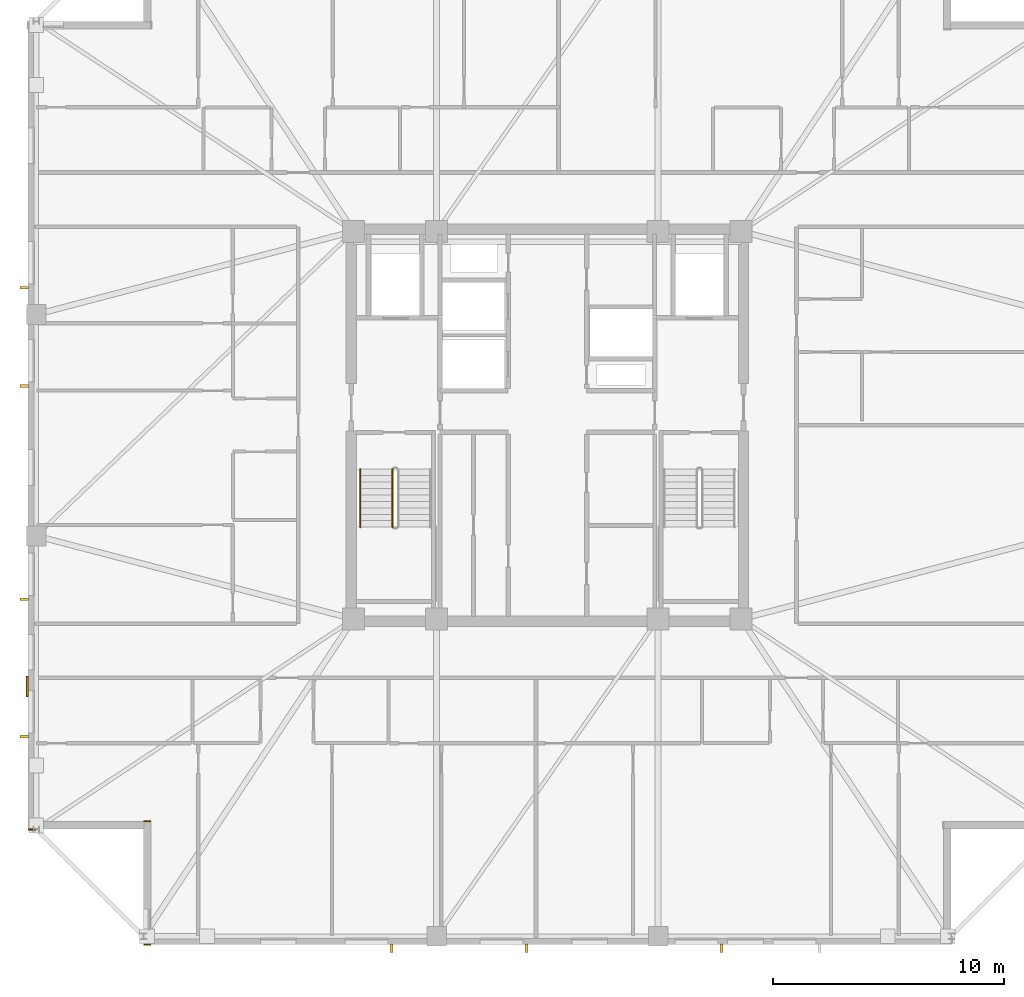
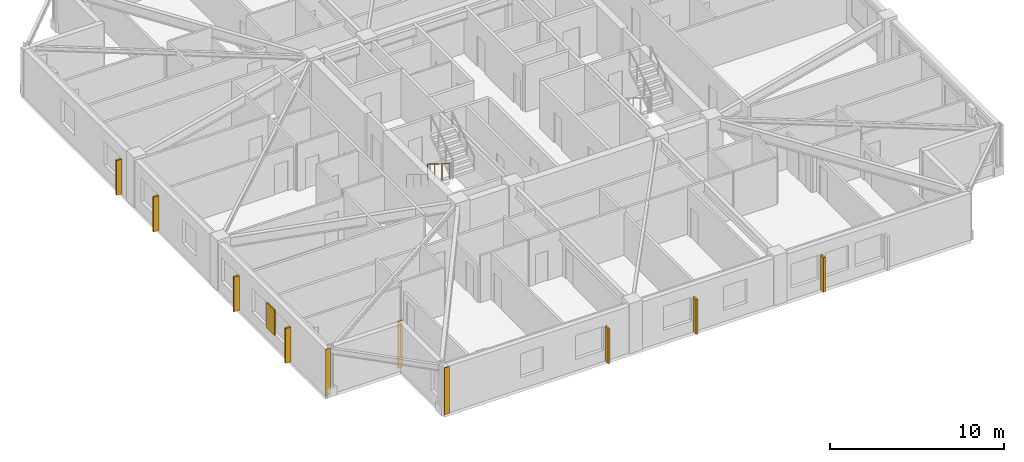
# One storey, part 13 of 17: 8 shading devices, 3 coverings, 2 railings.
"""IFC4 building model written with IfcOpenShell, lengths in metres."""

from ifc_helpers import new_model, si_unit, direction, frame, frame_2d, origin, origin_2d, place, context, subcontext, project, spatial, rectangle, circle, extrude, material, layer, layer_set, type_object, element, save


model = new_model("IFC4")

# Units and contexts
model_context = context("Model", 3, precision=1e-05, world=origin(), true_north=direction((0.0, 1.0)))
body_context = subcontext(model_context, "Body", "Model", "MODEL_VIEW")
ifc_project = project(units=[si_unit("LENGTHUNIT", "METRE"), si_unit("AREAUNIT", "SQUARE_METRE"), si_unit("VOLUMEUNIT", "CUBIC_METRE"), si_unit("PLANEANGLEUNIT", "RADIAN"), si_unit("MASSUNIT", "GRAM", prefix="KILO")], contexts=[model_context])

# Site, building, storey
site_placement = place(None, origin())
site = spatial("IfcSite", under=ifc_project, at=site_placement, CompositionType="ELEMENT")
building_placement = place(site_placement, origin())
building = spatial("IfcBuilding", under=site, at=building_placement, Name="Cairnveth Concourse Tower", CompositionType="ELEMENT")
storey_placement = place(building_placement, frame((0.0, 0.0, 209.5)))
storey = spatial("IfcBuildingStorey", under=building, at=storey_placement, Name="L57", CompositionType="ELEMENT", Elevation=209.5)

# Coverings
ifc_material_1 = material(Name="Dressed Melbourne Bluestone Cladding", Category="masonry")
ifc_layer = layer(ifc_material_1, 0.050048828125)
ifc_layer_set = layer_set([ifc_layer], Name="Dressed Melbourne Bluestone Cladding")
covering_type = type_object("IfcCoveringType", Name="DRESSED BLUESTONE PLINTH CLADDING 50", PredefinedType="CLADDING", material=ifc_layer_set)
for number, where, z_axis, x_axis, name in (
    (1, (34.820068359375, 16.47998046875, 0.0), (0.0, 0.0, 1.0), (-1.0, 0.0, 0.0), "Melbourne Bluestone Corner Quoin L57-854"),
    (2, (34.820068359375, 21.840087890625, 0.0), (0.0, 0.0, 1.0), (-1.0, 0.0, 0.0), "Melbourne Bluestone Corner Quoin L57-855"),
    (3, (29.820068359375, 21.47998046875, 0.0), (0.0, 0.0, 1.0), (-1.0, 0.0, 0.0), "Melbourne Bluestone Corner Quoin L57-856"),
):
    element("IfcCovering", number, at=place(storey_placement, frame(where, z_axis=z_axis, x_axis=x_axis)), inside=storey, type_object=covering_type, Name=name, PredefinedType="CLADDING", context=body_context, shape_type="SweptSolid", body=[
        extrude(rectangle(XDim=0.320068359375, YDim=0.050048828125, at=frame_2d((0.16015625, 0.0))), origin(), (0.0, 0.0, 1.0), 3.2900390625),
    ])

# Shading devices
ifc_material_2 = material(Name="Architectural Bronze Anodised Aluminium 6063-T6", Category="aluminium")
shading_device_type_1 = type_object("IfcShadingDeviceType", Name="GOTHIC BRONZE VERTICAL LANCET FIN", PredefinedType="USERDEFINED", material=ifc_material_2)
for number, where, z_axis, x_axis, name in (
    (4, (59.546875, 16.324951171875, 0.030029296875), (0.0, 0.0, 1.0), (1.0, 0.0, 0.0), "Gothic Bronze Vertical Fin L57-6-3"),
    (5, (51.096435546875, 16.324951171875, 0.030029296875), (0.0, 0.0, 1.0), (1.0, 0.0, 0.0), "Gothic Bronze Vertical Fin L57-6-5"),
    (6, (45.245849609375, 16.324951171875, 0.030029296875), (0.0, 0.0, 1.0), (1.0, 0.0, 0.0), "Gothic Bronze Vertical Fin L57-6-7"),
    (7, (29.324951171875, 25.502685546875, 0.030029296875), (0.0, 0.0, 1.0), (0.0, 1.0, 0.0), "Gothic Bronze Vertical Fin L57-9-1"),
    (8, (29.324951171875, 31.453125, 0.030029296875), (0.0, 0.0, 1.0), (0.0, 1.0, 0.0), "Gothic Bronze Vertical Fin L57-9-3"),
    (9, (29.324951171875, 40.70361328125, 0.030029296875), (0.0, 0.0, 1.0), (0.0, 1.0, 0.0), "Gothic Bronze Vertical Fin L57-9-5"),
    (10, (29.324951171875, 44.9541015625, 0.030029296875), (0.0, 0.0, 1.0), (0.0, 1.0, 0.0), "Gothic Bronze Vertical Fin L57-9-7"),
):
    element("IfcShadingDevice", number, at=place(storey_placement, frame(where, z_axis=z_axis, x_axis=x_axis)), inside=storey, type_object=shading_device_type_1, Name=name, ObjectType="VERTICAL FIN", PredefinedType="USERDEFINED", context=body_context, shape_type="SweptSolid", body=[
        extrude(rectangle(XDim=0.1201171875, YDim=0.360107421875, at=origin_2d()), origin(), (0.0, 0.0, 1.0), 2.43798828125),
    ])

# Railings
ifc_material_3 = material(Name="Steel Grade 350", Category="steel")
railing_type_1 = type_object("IfcRailingType", Name="STAIR GUARDRAIL 1150", PredefinedType="GUARDRAIL", material=ifc_material_3)
railing_1_placement = place(storey_placement, frame((45.2900390625, 37.10009765625, 0.175048828125)))
element("IfcRailing", 11, at=railing_1_placement, inside=storey, type_object=railing_type_1, Name="L57 ST-1 stair guard 1", PredefinedType="GUARDRAIL", context=body_context, shape_type="SweptSolid", body=[
    extrude(circle(Radius=0.02392578125, at=origin_2d()), frame((0.0, 0.0, 1.1259765625), z_axis=(0.0, -0.848007534815, 0.529984170421), x_axis=(1.0, 0.0, 0.0)), (0.0, 0.0, 1.0), 2.9716796875),
    extrude(circle(Radius=0.02099609375, at=origin_2d()), origin(), (0.0, 0.0, 1.0), 1.101806640625),
    extrude(circle(Radius=0.02099609375, at=origin_2d()), frame((0.0, -0.840087890625, 0.52490234375)), (0.0, 0.0, 1.0), 1.101806640625),
    extrude(circle(Radius=0.02099609375, at=origin_2d()), frame((0.0, -1.679931640625, 1.050048828125)), (0.0, 0.0, 1.0), 1.101806640625),
    extrude(circle(Radius=0.02099609375, at=origin_2d()), frame((0.0, -2.52001953125, 1.574951171875)), (0.0, 0.0, 1.0), 1.101806640625),
])
railing_type_2 = type_object("IfcRailingType", Name="STAIR WALL HANDRAIL 900", PredefinedType="HANDRAIL", material=ifc_material_3)
railing_2_placement = place(storey_placement, frame((43.889892578125, 37.10009765625, 0.175048828125)))
element("IfcRailing", 12, at=railing_2_placement, inside=storey, type_object=railing_type_2, Name="L57 ST-1 stair handrail 1", PredefinedType="HANDRAIL", context=body_context, shape_type="SweptSolid", body=[
    extrude(circle(Radius=0.02392578125, at=origin_2d()), frame((0.0, 0.0, 0.8759765625), z_axis=(0.0, -0.848007534815, 0.529984170421), x_axis=(1.0, 0.0, 0.0)), (0.0, 0.0, 1.0), 2.9716796875),
    extrude(circle(Radius=0.02099609375, at=origin_2d()), origin(), (0.0, 0.0, 1.0), 0.851806640625),
    extrude(circle(Radius=0.02099609375, at=origin_2d()), frame((0.0, -0.840087890625, 0.52490234375)), (0.0, 0.0, 1.0), 0.851806640625),
    extrude(circle(Radius=0.02099609375, at=origin_2d()), frame((0.0, -1.679931640625, 1.050048828125)), (0.0, 0.0, 1.0), 0.851806640625),
    extrude(circle(Radius=0.02099609375, at=origin_2d()), frame((0.0, -2.52001953125, 1.574951171875)), (0.0, 0.0, 1.0), 0.851806640625),
])

# Shading device
shading_device_type_2 = type_object("IfcShadingDeviceType", Name="WEST SOLAR PERFORATED SHUTTER", PredefinedType="SHUTTER", material=ifc_material_2)
shading_device_placement = place(storey_placement, frame((29.464111328125, 27.672607421875, 0.7998046875), z_axis=(0.0, 0.0, 1.0), x_axis=(1.0, 0.0, 0.0)))
element("IfcShadingDevice", 13, at=shading_device_placement, inside=storey, type_object=shading_device_type_2, Name="West Solar Shutter L57", PredefinedType="SHUTTER", context=body_context, shape_type="SweptSolid", body=[
    extrude(rectangle(XDim=0.080078125, YDim=0.89990234375, at=origin_2d()), origin(), (0.0, 0.0, 1.0), 1.800048828125),
])

save(model, "model.ifc")
